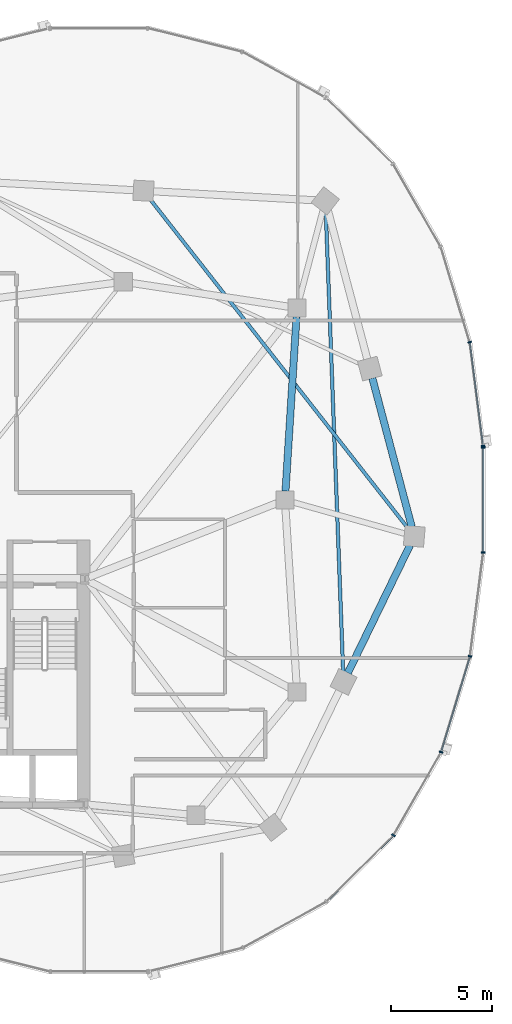
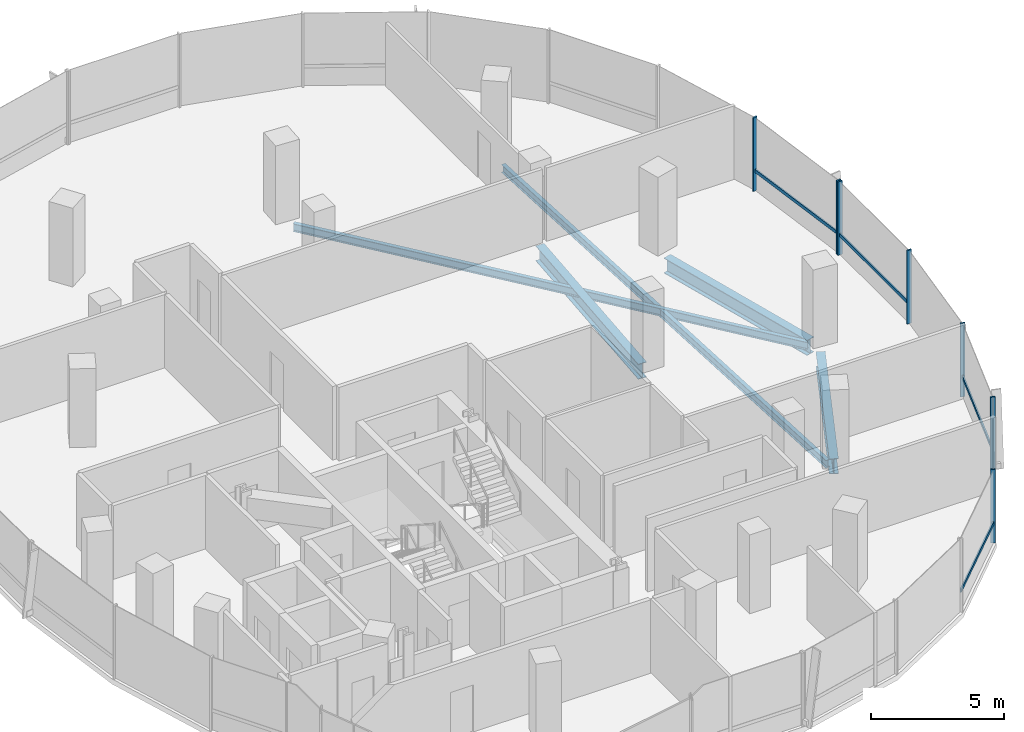
# One storey, part 8 of 22: 11 members, 5 beams, 2 elements without a shape of their own.
"""IFC4 building model written with IfcOpenShell, lengths in metres."""

from ifc_helpers import new_model, si_unit, direction, frame, origin, origin_2d, place, context, subcontext, project, spatial, rectangle, i_section, extrude, material, material_profile, profile_set, type_object, element, aggregate, save


model = new_model("IFC4")

# Units and contexts
model_context = context("Model", 3, precision=1e-05, world=origin(), true_north=direction((0.0, 1.0)))
body_context = subcontext(model_context, "Body", "Model", "MODEL_VIEW")
ifc_project = project(units=[si_unit("LENGTHUNIT", "METRE"), si_unit("AREAUNIT", "SQUARE_METRE"), si_unit("VOLUMEUNIT", "CUBIC_METRE"), si_unit("PLANEANGLEUNIT", "RADIAN"), si_unit("MASSUNIT", "GRAM", prefix="KILO"), si_unit("THERMODYNAMICTEMPERATUREUNIT", "KELVIN"), si_unit("POWERUNIT", "WATT")], contexts=[model_context])

# Site, building, storey
site_placement = place(None, origin())
site = spatial("IfcSite", under=ifc_project, at=site_placement, CompositionType="ELEMENT")
building_placement = place(site_placement, origin())
building = spatial("IfcBuilding", under=site, at=building_placement, Name="Cundina Bronze Exchange", CompositionType="ELEMENT")
storey_placement = place(building_placement, frame((0.0, 0.0, 162.0)))
storey = spatial("IfcBuildingStorey", under=building, at=storey_placement, Name="L42", CompositionType="ELEMENT", Elevation=162.0)

# Beams
ifc_material_1 = material(Name="Steel ASTM A992 Grade 50", Category="steel")
ifc_material_profile_1 = material_profile(ifc_material_1, i_section(OverallWidth=0.172119140625, OverallDepth=0.35791015625, WebThickness=0.0078125, FlangeThickness=0.01318359375, FilletRadius=0.010009765625, at=origin_2d()), Name="W14X38", Category="steel")
ifc_profile_set_1 = profile_set([ifc_material_profile_1], Name="Steel ASTM A992 Grade 50")
beam_type_1 = type_object("IfcBeamType", Name="BM-JST-W14", PredefinedType="JOIST", material=ifc_profile_set_1)
beam_1_placement = place(storey_placement, frame((44.08154296875, -8.51220703125, -0.4189453125), z_axis=(-0.037784933381, 0.999285894431, 0.0), x_axis=(-0.999285894431, -0.037784933381, 0.0)))
element("IfcBeam", 1, at=beam_1_placement, inside=storey, type_object=beam_type_1, Name="L42 Leg E Lobe Floor Joist 07-10", PredefinedType="JOIST", context=body_context, shape_type="SweptSolid", body=[
    extrude(i_section(OverallWidth=0.172119140625, OverallDepth=0.35791015625, WebThickness=0.0078125, FlangeThickness=0.01318359375, FilletRadius=0.010009765625, at=origin_2d()), origin(), (0.0, 0.0, 1.0), 22.8408203125),
])
beam_2_placement = place(storey_placement, frame((47.299072265625, -1.416015625, -0.4189453125), z_axis=(-0.616801484103, 0.787118751656, 0.0), x_axis=(-0.787118751656, -0.616801484103, 0.0)))
element("IfcBeam", 2, at=beam_2_placement, inside=storey, type_object=beam_type_1, Name="L42 Leg E Lobe Floor Joist 08-11", PredefinedType="JOIST", context=body_context, shape_type="SweptSolid", body=[
    extrude(i_section(OverallWidth=0.172119140625, OverallDepth=0.35791015625, WebThickness=0.0078125, FlangeThickness=0.01318359375, FilletRadius=0.010009765625, at=origin_2d()), origin(), (0.0, 0.0, 1.0), 20.7490234375),
])
ifc_material_profile_2 = material_profile(ifc_material_1, i_section(OverallWidth=0.35498046875, OverallDepth=0.695068359375, WebThickness=0.015380859375, FlangeThickness=0.02490234375, FilletRadius=0.01806640625, at=origin_2d()), Name="W27X146", Category="steel")
ifc_profile_set_2 = profile_set([ifc_material_profile_2], Name="Steel ASTM A992 Grade 50")
beam_type_2 = type_object("IfcBeamType", Name="BM-RING-W27", PredefinedType="USERDEFINED", material=ifc_profile_set_2)
beam_3_placement = place(storey_placement, frame((41.2275390625, 0.43701171875, -0.58740234375), z_axis=(0.063046519736, 0.998010589297, 0.0), x_axis=(-0.998010589297, 0.063046519736, 0.0)))
element("IfcBeam", 3, at=beam_3_placement, inside=storey, type_object=beam_type_2, Name="L42 E Inner Structural Ring Girder 04", ObjectType="GIRDER", PredefinedType="USERDEFINED", context=body_context, shape_type="SweptSolid", body=[
    extrude(i_section(OverallWidth=0.35498046875, OverallDepth=0.695068359375, WebThickness=0.015380859375, FlangeThickness=0.02490234375, FilletRadius=0.01806640625, at=origin_2d()), origin(), (0.0, 0.0, 1.0), 8.64306640625),
])
beam_4_placement = place(storey_placement, frame((44.3134765625, -8.56103515625, -0.58740234375), z_axis=(0.437196998825, 0.89936576776, 0.0), x_axis=(-0.89936576776, 0.437196998825, 0.0)))
element("IfcBeam", 4, at=beam_4_placement, inside=storey, type_object=beam_type_2, Name="L42 E Perimeter Ring Girder 07", ObjectType="GIRDER", PredefinedType="USERDEFINED", context=body_context, shape_type="SweptSolid", body=[
    extrude(i_section(OverallWidth=0.35498046875, OverallDepth=0.695068359375, WebThickness=0.015380859375, FlangeThickness=0.02490234375, FilletRadius=0.01806640625, at=origin_2d()), origin(), (0.0, 0.0, 1.0), 7.029541015625),
])
beam_5_placement = place(storey_placement, frame((47.47509765625, -1.328369140625, -0.58740234375), z_axis=(-0.256240814108, 0.966612975904, 0.0), x_axis=(-0.966612975904, -0.256240814108, 0.0)))
element("IfcBeam", 5, at=beam_5_placement, inside=storey, type_object=beam_type_2, Name="L42 E Perimeter Ring Girder 08", ObjectType="GIRDER", PredefinedType="USERDEFINED", context=body_context, shape_type="SweptSolid", body=[
    extrude(i_section(OverallWidth=0.35498046875, OverallDepth=0.695068359375, WebThickness=0.015380859375, FlangeThickness=0.02490234375, FilletRadius=0.01806640625, at=origin_2d()), origin(), (0.0, 0.0, 1.0), 7.61083984375),
])

# Curtain wall, members
ifc_material_2 = material(Name="Anodised Bronze Aluminium 6063-T6", Category="aluminium")
curtain_wall_type = type_object("IfcCurtainWallType", Name="CWS-WST-PIN", PredefinedType="NOTDEFINED", material=ifc_material_2)
curtain_wall_1_placement = place(storey_placement, origin())
curtain_wall_1 = element("IfcCurtainWall", 6, at=curtain_wall_1_placement, inside=storey, type_object=curtain_wall_type, Name="L42 CW-04 Curtain Wall Run CWR-L42-E1", PredefinedType="NOTDEFINED")
ifc_material_profile_3 = material_profile(ifc_material_2, rectangle(XDim=0.070068359375, YDim=0.18994140625, at=origin_2d()), Name="AL70X190", Category="aluminium")
ifc_profile_set_3 = profile_set([ifc_material_profile_3], Name="Anodised Bronze Aluminium 6063-T6")
member_type_1 = type_object("IfcMemberType", Name="CWM-MUL-190", PredefinedType="MULLION", material=ifc_profile_set_3)
member_1_placement = place(storey_placement, frame((51.001708984375, 2.676025390625, 0.0), z_axis=(0.0, 0.0, 1.0), x_axis=(-0.126545236492, 0.991960837494, 0.0)))
member_1 = element("IfcMember", 7, at=member_1_placement, type_object=member_type_1, Name="CW-04 Mullion 1", PredefinedType="MULLION", context=body_context, shape_type="SweptSolid", body=[
    extrude(rectangle(XDim=0.070068359375, YDim=0.18994140625, at=origin_2d()), origin(), (0.0, 0.0, 1.0), 3.360107421875),
])
member_2_placement = place(storey_placement, frame((50.3408203125, 7.80859375, 0.0), z_axis=(0.0, 0.0, 1.0), x_axis=(-0.290034140915, 0.957016299288, 0.0)))
member_2 = element("IfcMember", 8, at=member_2_placement, type_object=member_type_1, Name="CW-04 Mullion 2", PredefinedType="MULLION", context=body_context, shape_type="SweptSolid", body=[
    extrude(rectangle(XDim=0.070068359375, YDim=0.18994140625, at=origin_2d()), origin(), (0.0, 0.0, 1.0), 3.360107421875),
])

curtain_wall_2_placement = place(storey_placement, origin())
curtain_wall_2 = element("IfcCurtainWall", 9, at=curtain_wall_2_placement, inside=storey, type_object=curtain_wall_type, Name="L42 CW-04 Curtain Wall Run CWR-L42-E4", PredefinedType="NOTDEFINED")
member_3_placement = place(storey_placement, frame((46.57080078125, -16.588134765625, 0.0), z_axis=(0.0, 0.0, 1.0), x_axis=(0.498487739754, 0.866896748936, 0.0)))
member_3 = element("IfcMember", 10, at=member_3_placement, type_object=member_type_1, Name="CW-04 Mullion 4", PredefinedType="MULLION", context=body_context, shape_type="SweptSolid", body=[
    extrude(rectangle(XDim=0.070068359375, YDim=0.18994140625, at=origin_2d()), origin(), (0.0, 0.0, 1.0), 3.360107421875),
])
member_4_placement = place(storey_placement, frame((48.92626953125, -12.4755859375, 0.0), z_axis=(0.0, 0.0, 1.0), x_axis=(0.290034140915, 0.957016299288, 0.0)))
member_4 = element("IfcMember", 11, at=member_4_placement, type_object=member_type_1, Name="CW-04 Mullion 5", PredefinedType="MULLION", context=body_context, shape_type="SweptSolid", body=[
    extrude(rectangle(XDim=0.070068359375, YDim=0.18994140625, at=origin_2d()), origin(), (0.0, 0.0, 1.0), 3.360107421875),
])
member_5_placement = place(storey_placement, frame((50.357177734375, -7.731689453125, 0.0), z_axis=(0.0, 0.0, 1.0), x_axis=(0.126545236492, 0.991960837494, 0.0)))
member_5 = element("IfcMember", 12, at=member_5_placement, type_object=member_type_1, Name="CW-04 Mullion 6", PredefinedType="MULLION", context=body_context, shape_type="SweptSolid", body=[
    extrude(rectangle(XDim=0.070068359375, YDim=0.18994140625, at=origin_2d()), origin(), (0.0, 0.0, 1.0), 3.360107421875),
])
member_6_placement = place(storey_placement, frame((51.007080078125, -2.593017578125, 0.0), z_axis=(0.0, 0.0, 1.0), x_axis=(0.0, 1.0, 0.0)))
member_6 = element("IfcMember", 13, at=member_6_placement, type_object=member_type_1, Name="CW-04 Mullion 7", PredefinedType="MULLION", context=body_context, shape_type="SweptSolid", body=[
    extrude(rectangle(XDim=0.070068359375, YDim=0.18994140625, at=origin_2d()), origin(), (0.0, 0.0, 1.0), 3.360107421875),
])
member_7_placement = place(storey_placement, frame((51.007080078125, 2.593017578125, 0.0), z_axis=(0.0, 0.0, 1.0), x_axis=(0.0, 1.0, 0.0)))
member_7 = element("IfcMember", 14, at=member_7_placement, type_object=member_type_1, Name="CW-04 End Mullion", PredefinedType="MULLION", context=body_context, shape_type="SweptSolid", body=[
    extrude(rectangle(XDim=0.070068359375, YDim=0.18994140625, at=origin_2d()), origin(), (0.0, 0.0, 1.0), 3.360107421875),
])

# Member
ifc_material_profile_4 = material_profile(ifc_material_2, rectangle(XDim=0.06494140625, YDim=0.14990234375, at=origin_2d()), Name="AL65X150", Category="aluminium")
ifc_profile_set_4 = profile_set([ifc_material_profile_4], Name="Anodised Bronze Aluminium 6063-T6")
member_type_2 = type_object("IfcMemberType", Name="CWM-TRN-150", PredefinedType="USERDEFINED", material=ifc_profile_set_4)
member_8_placement = place(storey_placement, frame((50.996826171875, 2.71435546875, 0.919921875), z_axis=(-0.12646340362, 0.991971273548, 0.0), x_axis=(-0.991971273548, -0.12646340362, 0.0)))
member_8 = element("IfcMember", 15, at=member_8_placement, type_object=member_type_2, Name="CW-04 Spandrel Transom 1", ObjectType="TRANSOM", PredefinedType="USERDEFINED", context=body_context, shape_type="SweptSolid", body=[
    extrude(rectangle(XDim=0.06494140625, YDim=0.14990234375, at=origin_2d()), origin(), (0.0, 0.0, 1.0), 5.0966796875),
])

aggregate(curtain_wall_1, [member_1, member_8, member_2])

member_9_placement = place(storey_placement, frame((43.28662109375, -19.839599609375, 0.919921875), z_axis=(0.712005023839, 0.702174370102, 0.0), x_axis=(-0.702174370102, 0.712005023839, 0.0)))
member_9 = element("IfcMember", 16, at=member_9_placement, type_object=member_type_2, Name="CW-04 Spandrel Transom 3", ObjectType="TRANSOM", PredefinedType="USERDEFINED", context=body_context, shape_type="SweptSolid", body=[
    extrude(rectangle(XDim=0.06494140625, YDim=0.14990234375, at=origin_2d()), origin(), (0.0, 0.0, 1.0), 4.594482421875),
])

member_10_placement = place(storey_placement, frame((48.937255859375, -12.43896484375, 0.919921875), z_axis=(0.290051855969, 0.957010930371, 0.0), x_axis=(-0.957010930371, 0.290051855969, 0.0)))
member_10 = element("IfcMember", 17, at=member_10_placement, type_object=member_type_2, Name="CW-04 Spandrel Transom 5", ObjectType="TRANSOM", PredefinedType="USERDEFINED", context=body_context, shape_type="SweptSolid", body=[
    extrude(rectangle(XDim=0.06494140625, YDim=0.14990234375, at=origin_2d()), origin(), (0.0, 0.0, 1.0), 4.876953125),
])

member_11_placement = place(storey_placement, frame((51.007080078125, -2.554443359375, 0.919921875), z_axis=(0.0, 1.0, 0.0), x_axis=(-1.0, 0.0, 0.0)))
member_11 = element("IfcMember", 18, at=member_11_placement, type_object=member_type_2, Name="CW-04 Spandrel Transom 7", ObjectType="TRANSOM", PredefinedType="USERDEFINED", context=body_context, shape_type="SweptSolid", body=[
    extrude(rectangle(XDim=0.06494140625, YDim=0.14990234375, at=origin_2d()), origin(), (0.0, 0.0, 1.0), 5.10888671875),
])

aggregate(curtain_wall_2, [member_9, member_3, member_4, member_10, member_5, member_6, member_7, member_11])

save(model, "model.ifc")
